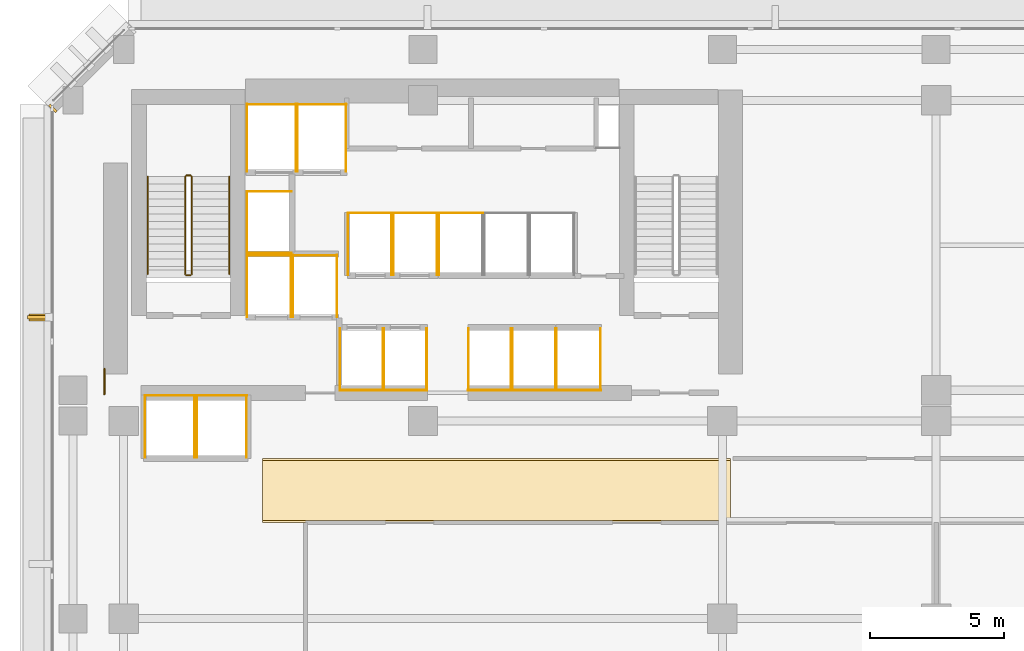
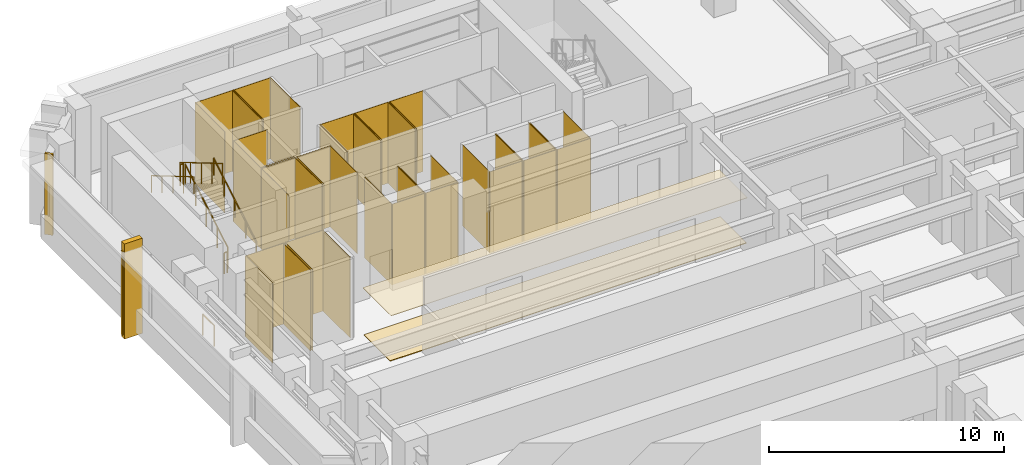
# One storey, part 13 of 16: 48 coverings, 7 railings, 1 shading device.
"""IFC4 building model written with IfcOpenShell, lengths in metres."""

from ifc_helpers import new_model, si_unit, direction, frame, origin, origin_2d, place, context, subcontext, project, spatial, polyline, rectangle, circle, outline, extrude, material, layer, layer_set, material_profile, profile_set, type_object, element, save


model = new_model("IFC4")

# Units and contexts
model_context = context("Model", 3, precision=1e-05, world=origin(), true_north=direction((0.0, 1.0)))
body_context = subcontext(model_context, "Body", "Model", "MODEL_VIEW")
ifc_project = project(units=[si_unit("LENGTHUNIT", "METRE"), si_unit("AREAUNIT", "SQUARE_METRE"), si_unit("VOLUMEUNIT", "CUBIC_METRE"), si_unit("PLANEANGLEUNIT", "RADIAN"), si_unit("MASSUNIT", "GRAM", prefix="KILO")], contexts=[model_context])

# Site, building, storey
site_placement = place(None, origin())
site = spatial("IfcSite", under=ifc_project, at=site_placement, CompositionType="ELEMENT")
building_placement = place(site_placement, origin())
building = spatial("IfcBuilding", under=site, at=building_placement, Name="Kefirva Bronze Tower", CompositionType="ELEMENT")
storey_placement = place(building_placement, frame((0.0, 0.0, 21.1201171875)))
storey = spatial("IfcBuildingStorey", under=building, at=storey_placement, Name="L04", CompositionType="ELEMENT", Elevation=21.1201171875)

# Coverings
ifc_material_1 = material(Name="Acoustic mineral tile")
ifc_layer_1 = layer(ifc_material_1, 0.02490234375, Name="Acoustic mineral tile")
ifc_layer_set_1 = layer_set([ifc_layer_1], Name="Acoustic mineral tile")
covering_type_1 = type_object("IfcCoveringType", Name="Acoustic Mineral Suspended Ceiling 25mm", PredefinedType="CEILING", material=ifc_layer_set_1)
covering_1_placement = place(storey_placement, frame((0.0, 0.0, 2.39990234375)))
element("IfcCovering", 1, at=covering_1_placement, inside=storey, type_object=covering_type_1, Name="L04 Corridor Acoustic Ceiling", PredefinedType="CEILING", context=body_context, shape_type="SweptSolid", body=[
    extrude(outline(polyline([(6.0, 29.39990234375), (23.5, 29.39990234375), (23.5, 31.800048828125), (6.0, 31.800048828125), (6.0, 29.39990234375)])), origin(), (0.0, 0.0, 1.0), 0.02490234375),
])
ifc_material_2 = material(Name="Bronze anodised aluminium", Category="aluminium")
ifc_layer_2 = layer(ifc_material_2, 0.02001953125, Name="Bronze anodised aluminium")
ifc_layer_set_2 = layer_set([ifc_layer_2], Name="Bronze anodised aluminium")
covering_type_2 = type_object("IfcCoveringType", Name="Anodised Bronze Spandrel Cladding 20mm", PredefinedType="CLADDING", material=ifc_layer_set_2)
covering_2_placement = place(storey_placement, frame((-1.847900390625, 44.8974609375, 0.0), z_axis=(0.0, 0.0, 1.0), x_axis=(-0.707106781187, -0.707106781187, 0.0)))
element("IfcCovering", 2, at=covering_2_placement, inside=storey, type_object=covering_type_2, Name="L04 Facade Joint Closure Panel 6E", PredefinedType="CLADDING", context=body_context, shape_type="SweptSolid", body=[
    extrude(rectangle(XDim=0.10009765625, YDim=0.360107421875, at=origin_2d()), origin(), (0.0, 0.0, 1.0), 4.199951171875),
])
covering_3_placement = place(storey_placement, origin())
element("IfcCovering", 3, at=covering_3_placement, inside=storey, type_object=covering_type_2, Name="L04 Lift FF1 Hoistway Liner N", PredefinedType="CLADDING", context=body_context, shape_type="SweptSolid", body=[
    extrude(outline(polyline([(5.39990234375, 39.389892578125), (7.080078125, 39.389892578125), (7.080078125, 39.409912109375), (5.39990234375, 39.409912109375), (5.39990234375, 39.389892578125)])), origin(), (0.0, 0.0, 1.0), 4.199951171875),
])
covering_4_placement = place(storey_placement, origin())
element("IfcCovering", 4, at=covering_4_placement, inside=storey, type_object=covering_type_2, Name="L04 Lift FF1 Hoistway Liner W", PredefinedType="CLADDING", context=body_context, shape_type="SweptSolid", body=[
    extrude(outline(polyline([(5.409912109375, 37.080078125), (5.429931640625, 37.080078125), (5.429931640625, 39.419921875), (5.409912109375, 39.419921875), (5.409912109375, 37.080078125)])), origin(), (0.0, 0.0, 1.0), 4.199951171875),
])
covering_5_placement = place(storey_placement, origin())
element("IfcCovering", 5, at=covering_5_placement, inside=storey, type_object=covering_type_2, Name="L04 Lift FF1 Hoistway Liner E", PredefinedType="CLADDING", context=body_context, shape_type="SweptSolid", body=[
    extrude(outline(polyline([(7.050048828125, 37.080078125), (7.070068359375, 37.080078125), (7.070068359375, 39.419921875), (7.050048828125, 39.419921875), (7.050048828125, 37.080078125)])), origin(), (0.0, 0.0, 1.0), 4.199951171875),
])
covering_6_placement = place(storey_placement, origin())
element("IfcCovering", 6, at=covering_6_placement, inside=storey, type_object=covering_type_2, Name="L04 Lift FF2 Hoistway Liner N", PredefinedType="CLADDING", context=body_context, shape_type="SweptSolid", body=[
    extrude(outline(polyline([(7.1201171875, 39.389892578125), (8.800048828125, 39.389892578125), (8.800048828125, 39.409912109375), (7.1201171875, 39.409912109375), (7.1201171875, 39.389892578125)])), origin(), (0.0, 0.0, 1.0), 4.199951171875),
])
covering_7_placement = place(storey_placement, origin())
element("IfcCovering", 7, at=covering_7_placement, inside=storey, type_object=covering_type_2, Name="L04 Lift FF2 Hoistway Liner W", PredefinedType="CLADDING", context=body_context, shape_type="SweptSolid", body=[
    extrude(outline(polyline([(7.1298828125, 37.080078125), (7.14990234375, 37.080078125), (7.14990234375, 39.419921875), (7.1298828125, 39.419921875), (7.1298828125, 37.080078125)])), origin(), (0.0, 0.0, 1.0), 4.199951171875),
])
covering_8_placement = place(storey_placement, origin())
element("IfcCovering", 8, at=covering_8_placement, inside=storey, type_object=covering_type_2, Name="L04 Lift FF2 Hoistway Liner E", PredefinedType="CLADDING", context=body_context, shape_type="SweptSolid", body=[
    extrude(outline(polyline([(8.77001953125, 37.080078125), (8.7900390625, 37.080078125), (8.7900390625, 39.419921875), (8.77001953125, 39.419921875), (8.77001953125, 37.080078125)])), origin(), (0.0, 0.0, 1.0), 4.199951171875),
])
covering_9_placement = place(storey_placement, origin())
element("IfcCovering", 9, at=covering_9_placement, inside=storey, type_object=covering_type_2, Name="L04 Lift SV1 Hoistway Liner N", PredefinedType="CLADDING", context=body_context, shape_type="SweptSolid", body=[
    extrude(outline(polyline([(5.39990234375, 45.0400390625), (7.260009765625, 45.0400390625), (7.260009765625, 45.06005859375), (5.39990234375, 45.06005859375), (5.39990234375, 45.0400390625)])), origin(), (0.0, 0.0, 1.0), 4.199951171875),
])
covering_10_placement = place(storey_placement, origin())
element("IfcCovering", 10, at=covering_10_placement, inside=storey, type_object=covering_type_2, Name="L04 Lift SV1 Hoistway Liner W", PredefinedType="CLADDING", context=body_context, shape_type="SweptSolid", body=[
    extrude(outline(polyline([(5.409912109375, 42.530029296875), (5.429931640625, 42.530029296875), (5.429931640625, 45.070068359375), (5.409912109375, 45.070068359375), (5.409912109375, 42.530029296875)])), origin(), (0.0, 0.0, 1.0), 4.199951171875),
])
covering_11_placement = place(storey_placement, origin())
element("IfcCovering", 11, at=covering_11_placement, inside=storey, type_object=covering_type_2, Name="L04 Lift SV1 Hoistway Liner E", PredefinedType="CLADDING", context=body_context, shape_type="SweptSolid", body=[
    extrude(outline(polyline([(7.22998046875, 42.530029296875), (7.25, 42.530029296875), (7.25, 45.070068359375), (7.22998046875, 45.070068359375), (7.22998046875, 42.530029296875)])), origin(), (0.0, 0.0, 1.0), 4.199951171875),
])
covering_12_placement = place(storey_placement, origin())
element("IfcCovering", 12, at=covering_12_placement, inside=storey, type_object=covering_type_2, Name="L04 Lift SV2 Hoistway Liner N", PredefinedType="CLADDING", context=body_context, shape_type="SweptSolid", body=[
    extrude(outline(polyline([(7.280029296875, 45.0400390625), (9.139892578125, 45.0400390625), (9.139892578125, 45.06005859375), (7.280029296875, 45.06005859375), (7.280029296875, 45.0400390625)])), origin(), (0.0, 0.0, 1.0), 4.199951171875),
])
covering_13_placement = place(storey_placement, origin())
element("IfcCovering", 13, at=covering_13_placement, inside=storey, type_object=covering_type_2, Name="L04 Lift SV2 Hoistway Liner W", PredefinedType="CLADDING", context=body_context, shape_type="SweptSolid", body=[
    extrude(outline(polyline([(7.2900390625, 42.530029296875), (7.31005859375, 42.530029296875), (7.31005859375, 45.070068359375), (7.2900390625, 45.070068359375), (7.2900390625, 42.530029296875)])), origin(), (0.0, 0.0, 1.0), 4.199951171875),
])
covering_14_placement = place(storey_placement, origin())
element("IfcCovering", 14, at=covering_14_placement, inside=storey, type_object=covering_type_2, Name="L04 Lift SV2 Hoistway Liner E", PredefinedType="CLADDING", context=body_context, shape_type="SweptSolid", body=[
    extrude(outline(polyline([(9.110107421875, 42.530029296875), (9.1298828125, 42.530029296875), (9.1298828125, 45.070068359375), (9.110107421875, 45.070068359375), (9.110107421875, 42.530029296875)])), origin(), (0.0, 0.0, 1.0), 4.199951171875),
])
covering_15_placement = place(storey_placement, origin())
element("IfcCovering", 15, at=covering_15_placement, inside=storey, type_object=covering_type_2, Name="L04 Lift OB1 Hoistway Liner N", PredefinedType="CLADDING", context=body_context, shape_type="SweptSolid", body=[
    extrude(outline(polyline([(1.580078125, 34.139892578125), (3.469970703125, 34.139892578125), (3.469970703125, 34.159912109375), (1.580078125, 34.159912109375), (1.580078125, 34.139892578125)])), origin(), (0.0, 0.0, 1.0), 4.199951171875),
])
covering_16_placement = place(storey_placement, origin())
element("IfcCovering", 16, at=covering_16_placement, inside=storey, type_object=covering_type_2, Name="L04 Lift OB1 Hoistway Liner W", PredefinedType="CLADDING", context=body_context, shape_type="SweptSolid", body=[
    extrude(outline(polyline([(1.590087890625, 31.830078125), (1.610107421875, 31.830078125), (1.610107421875, 34.169921875), (1.590087890625, 34.169921875), (1.590087890625, 31.830078125)])), origin(), (0.0, 0.0, 1.0), 4.199951171875),
])
covering_17_placement = place(storey_placement, origin())
element("IfcCovering", 17, at=covering_17_placement, inside=storey, type_object=covering_type_2, Name="L04 Lift OB1 Hoistway Liner E", PredefinedType="CLADDING", context=body_context, shape_type="SweptSolid", body=[
    extrude(outline(polyline([(3.43994140625, 31.830078125), (3.4599609375, 31.830078125), (3.4599609375, 34.169921875), (3.43994140625, 34.169921875), (3.43994140625, 31.830078125)])), origin(), (0.0, 0.0, 1.0), 4.199951171875),
])
covering_18_placement = place(storey_placement, origin())
element("IfcCovering", 18, at=covering_18_placement, inside=storey, type_object=covering_type_2, Name="L04 Lift OB2 Hoistway Liner N", PredefinedType="CLADDING", context=body_context, shape_type="SweptSolid", body=[
    extrude(outline(polyline([(3.530029296875, 34.139892578125), (5.419921875, 34.139892578125), (5.419921875, 34.159912109375), (3.530029296875, 34.159912109375), (3.530029296875, 34.139892578125)])), origin(), (0.0, 0.0, 1.0), 4.199951171875),
])
covering_19_placement = place(storey_placement, origin())
element("IfcCovering", 19, at=covering_19_placement, inside=storey, type_object=covering_type_2, Name="L04 Lift OB2 Hoistway Liner W", PredefinedType="CLADDING", context=body_context, shape_type="SweptSolid", body=[
    extrude(outline(polyline([(3.5400390625, 31.830078125), (3.56005859375, 31.830078125), (3.56005859375, 34.169921875), (3.5400390625, 34.169921875), (3.5400390625, 31.830078125)])), origin(), (0.0, 0.0, 1.0), 4.199951171875),
])
covering_20_placement = place(storey_placement, origin())
element("IfcCovering", 20, at=covering_20_placement, inside=storey, type_object=covering_type_2, Name="L04 Lift OB2 Hoistway Liner E", PredefinedType="CLADDING", context=body_context, shape_type="SweptSolid", body=[
    extrude(outline(polyline([(5.389892578125, 31.830078125), (5.409912109375, 31.830078125), (5.409912109375, 34.169921875), (5.389892578125, 34.169921875), (5.389892578125, 31.830078125)])), origin(), (0.0, 0.0, 1.0), 4.199951171875),
])
covering_21_placement = place(storey_placement, origin())
element("IfcCovering", 21, at=covering_21_placement, inside=storey, type_object=covering_type_2, Name="L04 Lift LP1 Hoistway Liner S", PredefinedType="CLADDING", context=body_context, shape_type="SweptSolid", body=[
    extrude(outline(polyline([(8.8798828125, 34.340087890625), (10.52001953125, 34.340087890625), (10.52001953125, 34.360107421875), (8.8798828125, 34.360107421875), (8.8798828125, 34.340087890625)])), origin(), (0.0, 0.0, 1.0), 4.199951171875),
])
covering_22_placement = place(storey_placement, origin())
element("IfcCovering", 22, at=covering_22_placement, inside=storey, type_object=covering_type_2, Name="L04 Lift LP1 Hoistway Liner W", PredefinedType="CLADDING", context=body_context, shape_type="SweptSolid", body=[
    extrude(outline(polyline([(8.889892578125, 34.330078125), (8.909912109375, 34.330078125), (8.909912109375, 36.669921875), (8.889892578125, 36.669921875), (8.889892578125, 34.330078125)])), origin(), (0.0, 0.0, 1.0), 4.199951171875),
])
covering_23_placement = place(storey_placement, origin())
element("IfcCovering", 23, at=covering_23_placement, inside=storey, type_object=covering_type_2, Name="L04 Lift LP1 Hoistway Liner E", PredefinedType="CLADDING", context=body_context, shape_type="SweptSolid", body=[
    extrude(outline(polyline([(10.489990234375, 34.330078125), (10.510009765625, 34.330078125), (10.510009765625, 36.669921875), (10.489990234375, 36.669921875), (10.489990234375, 34.330078125)])), origin(), (0.0, 0.0, 1.0), 4.199951171875),
])
covering_24_placement = place(storey_placement, origin())
element("IfcCovering", 24, at=covering_24_placement, inside=storey, type_object=covering_type_2, Name="L04 Lift LP2 Hoistway Liner S", PredefinedType="CLADDING", context=body_context, shape_type="SweptSolid", body=[
    extrude(outline(polyline([(10.52001953125, 34.340087890625), (12.159912109375, 34.340087890625), (12.159912109375, 34.360107421875), (10.52001953125, 34.360107421875), (10.52001953125, 34.340087890625)])), origin(), (0.0, 0.0, 1.0), 4.199951171875),
])
covering_25_placement = place(storey_placement, origin())
element("IfcCovering", 25, at=covering_25_placement, inside=storey, type_object=covering_type_2, Name="L04 Lift LP2 Hoistway Liner W", PredefinedType="CLADDING", context=body_context, shape_type="SweptSolid", body=[
    extrude(outline(polyline([(10.530029296875, 34.330078125), (10.550048828125, 34.330078125), (10.550048828125, 36.669921875), (10.530029296875, 36.669921875), (10.530029296875, 34.330078125)])), origin(), (0.0, 0.0, 1.0), 4.199951171875),
])
covering_26_placement = place(storey_placement, origin())
element("IfcCovering", 26, at=covering_26_placement, inside=storey, type_object=covering_type_2, Name="L04 Lift LP2 Hoistway Liner E", PredefinedType="CLADDING", context=body_context, shape_type="SweptSolid", body=[
    extrude(outline(polyline([(12.1298828125, 34.330078125), (12.14990234375, 34.330078125), (12.14990234375, 36.669921875), (12.1298828125, 36.669921875), (12.1298828125, 34.330078125)])), origin(), (0.0, 0.0, 1.0), 4.199951171875),
])
covering_27_placement = place(storey_placement, origin())
element("IfcCovering", 27, at=covering_27_placement, inside=storey, type_object=covering_type_2, Name="L04 Lift LP3 Hoistway Liner N", PredefinedType="CLADDING", context=body_context, shape_type="SweptSolid", body=[
    extrude(outline(polyline([(9.179931640625, 40.969970703125), (10.85009765625, 40.969970703125), (10.85009765625, 40.989990234375), (9.179931640625, 40.989990234375), (9.179931640625, 40.969970703125)])), origin(), (0.0, 0.0, 1.0), 4.199951171875),
])
covering_28_placement = place(storey_placement, origin())
element("IfcCovering", 28, at=covering_28_placement, inside=storey, type_object=covering_type_2, Name="L04 Lift LP3 Hoistway Liner W", PredefinedType="CLADDING", context=body_context, shape_type="SweptSolid", body=[
    extrude(outline(polyline([(9.18994140625, 38.659912109375), (9.2099609375, 38.659912109375), (9.2099609375, 41.0), (9.18994140625, 41.0), (9.18994140625, 38.659912109375)])), origin(), (0.0, 0.0, 1.0), 4.199951171875),
])
covering_29_placement = place(storey_placement, origin())
element("IfcCovering", 29, at=covering_29_placement, inside=storey, type_object=covering_type_2, Name="L04 Lift LP3 Hoistway Liner E", PredefinedType="CLADDING", context=body_context, shape_type="SweptSolid", body=[
    extrude(outline(polyline([(10.820068359375, 38.659912109375), (10.840087890625, 38.659912109375), (10.840087890625, 41.0), (10.820068359375, 41.0), (10.820068359375, 38.659912109375)])), origin(), (0.0, 0.0, 1.0), 4.199951171875),
])
covering_30_placement = place(storey_placement, origin())
element("IfcCovering", 30, at=covering_30_placement, inside=storey, type_object=covering_type_2, Name="L04 Lift LP4 Hoistway Liner N", PredefinedType="CLADDING", context=body_context, shape_type="SweptSolid", body=[
    extrude(outline(polyline([(10.8798828125, 40.969970703125), (12.550048828125, 40.969970703125), (12.550048828125, 40.989990234375), (10.8798828125, 40.989990234375), (10.8798828125, 40.969970703125)])), origin(), (0.0, 0.0, 1.0), 4.199951171875),
])
covering_31_placement = place(storey_placement, origin())
element("IfcCovering", 31, at=covering_31_placement, inside=storey, type_object=covering_type_2, Name="L04 Lift LP4 Hoistway Liner W", PredefinedType="CLADDING", context=body_context, shape_type="SweptSolid", body=[
    extrude(outline(polyline([(10.889892578125, 38.659912109375), (10.909912109375, 38.659912109375), (10.909912109375, 41.0), (10.889892578125, 41.0), (10.889892578125, 38.659912109375)])), origin(), (0.0, 0.0, 1.0), 4.199951171875),
])
covering_32_placement = place(storey_placement, origin())
element("IfcCovering", 32, at=covering_32_placement, inside=storey, type_object=covering_type_2, Name="L04 Lift LP4 Hoistway Liner E", PredefinedType="CLADDING", context=body_context, shape_type="SweptSolid", body=[
    extrude(outline(polyline([(12.52001953125, 38.659912109375), (12.5400390625, 38.659912109375), (12.5400390625, 41.0), (12.52001953125, 41.0), (12.52001953125, 38.659912109375)])), origin(), (0.0, 0.0, 1.0), 4.199951171875),
])
covering_33_placement = place(storey_placement, origin())
element("IfcCovering", 33, at=covering_33_placement, inside=storey, type_object=covering_type_2, Name="L04 Lift MP1 Hoistway Liner S", PredefinedType="CLADDING", context=body_context, shape_type="SweptSolid", body=[
    extrude(outline(polyline([(13.679931640625, 34.340087890625), (15.320068359375, 34.340087890625), (15.320068359375, 34.360107421875), (13.679931640625, 34.360107421875), (13.679931640625, 34.340087890625)])), origin(), (0.0, 0.0, 1.0), 4.199951171875),
])
covering_34_placement = place(storey_placement, origin())
element("IfcCovering", 34, at=covering_34_placement, inside=storey, type_object=covering_type_2, Name="L04 Lift MP1 Hoistway Liner W", PredefinedType="CLADDING", context=body_context, shape_type="SweptSolid", body=[
    extrude(outline(polyline([(13.68994140625, 34.330078125), (13.7099609375, 34.330078125), (13.7099609375, 36.669921875), (13.68994140625, 36.669921875), (13.68994140625, 34.330078125)])), origin(), (0.0, 0.0, 1.0), 4.199951171875),
])
covering_35_placement = place(storey_placement, origin())
element("IfcCovering", 35, at=covering_35_placement, inside=storey, type_object=covering_type_2, Name="L04 Lift MP1 Hoistway Liner E", PredefinedType="CLADDING", context=body_context, shape_type="SweptSolid", body=[
    extrude(outline(polyline([(15.2900390625, 34.330078125), (15.31005859375, 34.330078125), (15.31005859375, 36.669921875), (15.2900390625, 36.669921875), (15.2900390625, 34.330078125)])), origin(), (0.0, 0.0, 1.0), 4.199951171875),
])
covering_36_placement = place(storey_placement, origin())
element("IfcCovering", 36, at=covering_36_placement, inside=storey, type_object=covering_type_2, Name="L04 Lift MP2 Hoistway Liner S", PredefinedType="CLADDING", context=body_context, shape_type="SweptSolid", body=[
    extrude(outline(polyline([(15.330078125, 34.340087890625), (16.969970703125, 34.340087890625), (16.969970703125, 34.360107421875), (15.330078125, 34.360107421875), (15.330078125, 34.340087890625)])), origin(), (0.0, 0.0, 1.0), 4.199951171875),
])
covering_37_placement = place(storey_placement, origin())
element("IfcCovering", 37, at=covering_37_placement, inside=storey, type_object=covering_type_2, Name="L04 Lift MP2 Hoistway Liner W", PredefinedType="CLADDING", context=body_context, shape_type="SweptSolid", body=[
    extrude(outline(polyline([(15.340087890625, 34.330078125), (15.360107421875, 34.330078125), (15.360107421875, 36.669921875), (15.340087890625, 36.669921875), (15.340087890625, 34.330078125)])), origin(), (0.0, 0.0, 1.0), 4.199951171875),
])
covering_38_placement = place(storey_placement, origin())
element("IfcCovering", 38, at=covering_38_placement, inside=storey, type_object=covering_type_2, Name="L04 Lift MP2 Hoistway Liner E", PredefinedType="CLADDING", context=body_context, shape_type="SweptSolid", body=[
    extrude(outline(polyline([(16.93994140625, 34.330078125), (16.9599609375, 34.330078125), (16.9599609375, 36.669921875), (16.93994140625, 36.669921875), (16.93994140625, 34.330078125)])), origin(), (0.0, 0.0, 1.0), 4.199951171875),
])
covering_39_placement = place(storey_placement, origin())
element("IfcCovering", 39, at=covering_39_placement, inside=storey, type_object=covering_type_2, Name="L04 Lift MP3 Hoistway Liner N", PredefinedType="CLADDING", context=body_context, shape_type="SweptSolid", body=[
    extrude(outline(polyline([(12.580078125, 40.969970703125), (14.25, 40.969970703125), (14.25, 40.989990234375), (12.580078125, 40.989990234375), (12.580078125, 40.969970703125)])), origin(), (0.0, 0.0, 1.0), 4.199951171875),
])
covering_40_placement = place(storey_placement, origin())
element("IfcCovering", 40, at=covering_40_placement, inside=storey, type_object=covering_type_2, Name="L04 Lift MP3 Hoistway Liner W", PredefinedType="CLADDING", context=body_context, shape_type="SweptSolid", body=[
    extrude(outline(polyline([(12.590087890625, 38.659912109375), (12.610107421875, 38.659912109375), (12.610107421875, 41.0), (12.590087890625, 41.0), (12.590087890625, 38.659912109375)])), origin(), (0.0, 0.0, 1.0), 4.199951171875),
])
covering_41_placement = place(storey_placement, origin())
element("IfcCovering", 41, at=covering_41_placement, inside=storey, type_object=covering_type_2, Name="L04 Lift HP1 Hoistway Liner S", PredefinedType="CLADDING", context=body_context, shape_type="SweptSolid", body=[
    extrude(outline(polyline([(16.97998046875, 34.340087890625), (18.669921875, 34.340087890625), (18.669921875, 34.360107421875), (16.97998046875, 34.360107421875), (16.97998046875, 34.340087890625)])), origin(), (0.0, 0.0, 1.0), 4.199951171875),
])
covering_42_placement = place(storey_placement, origin())
element("IfcCovering", 42, at=covering_42_placement, inside=storey, type_object=covering_type_2, Name="L04 Lift HP1 Hoistway Liner W", PredefinedType="CLADDING", context=body_context, shape_type="SweptSolid", body=[
    extrude(outline(polyline([(16.989990234375, 34.330078125), (17.010009765625, 34.330078125), (17.010009765625, 36.669921875), (16.989990234375, 36.669921875), (16.989990234375, 34.330078125)])), origin(), (0.0, 0.0, 1.0), 4.199951171875),
])
covering_43_placement = place(storey_placement, origin())
element("IfcCovering", 43, at=covering_43_placement, inside=storey, type_object=covering_type_2, Name="L04 Lift HP1 Hoistway Liner E", PredefinedType="CLADDING", context=body_context, shape_type="SweptSolid", body=[
    extrude(outline(polyline([(18.639892578125, 34.330078125), (18.659912109375, 34.330078125), (18.659912109375, 36.669921875), (18.639892578125, 36.669921875), (18.639892578125, 34.330078125)])), origin(), (0.0, 0.0, 1.0), 4.199951171875),
])
covering_44_placement = place(storey_placement, origin())
element("IfcCovering", 44, at=covering_44_placement, inside=storey, type_object=covering_type_2, Name="L04 Lift HP3 Hoistway Liner N", PredefinedType="CLADDING", context=body_context, shape_type="SweptSolid", body=[
    extrude(outline(polyline([(5.39990234375, 41.77001953125), (7.080078125, 41.77001953125), (7.080078125, 41.7900390625), (5.39990234375, 41.7900390625), (5.39990234375, 41.77001953125)])), origin(), (0.0, 0.0, 1.0), 4.199951171875),
])
covering_45_placement = place(storey_placement, origin())
element("IfcCovering", 45, at=covering_45_placement, inside=storey, type_object=covering_type_2, Name="L04 Lift HP3 Hoistway Liner S", PredefinedType="CLADDING", context=body_context, shape_type="SweptSolid", body=[
    extrude(outline(polyline([(5.39990234375, 39.469970703125), (7.080078125, 39.469970703125), (7.080078125, 39.489990234375), (5.39990234375, 39.489990234375), (5.39990234375, 39.469970703125)])), origin(), (0.0, 0.0, 1.0), 4.199951171875),
])
covering_46_placement = place(storey_placement, origin())
element("IfcCovering", 46, at=covering_46_placement, inside=storey, type_object=covering_type_2, Name="L04 Lift HP3 Hoistway Liner W", PredefinedType="CLADDING", context=body_context, shape_type="SweptSolid", body=[
    extrude(outline(polyline([(5.409912109375, 39.4599609375), (5.429931640625, 39.4599609375), (5.429931640625, 41.800048828125), (5.409912109375, 41.800048828125), (5.409912109375, 39.4599609375)])), origin(), (0.0, 0.0, 1.0), 4.199951171875),
])
ifc_material_3 = material(Name="Honed basalt stone paver", Category="masonry")
ifc_layer_3 = layer(ifc_material_3, 0.034912109375, Name="Honed basalt stone paver")
ifc_layer_set_3 = layer_set([ifc_layer_3], Name="Honed basalt stone paver")
covering_type_3 = type_object("IfcCoveringType", Name="Honed Basalt Concourse Flooring 35mm", PredefinedType="FLOORING", material=ifc_layer_set_3)
covering_47_placement = place(storey_placement, origin())
element("IfcCovering", 47, at=covering_47_placement, inside=storey, type_object=covering_type_3, Name="L04 Architectural Finish Flooring", PredefinedType="FLOORING", context=body_context, shape_type="SweptSolid", body=[
    extrude(outline(polyline([(6.0, 29.47998046875), (23.5, 29.47998046875), (23.5, 31.719970703125), (6.0, 31.719970703125), (6.0, 29.47998046875)])), origin(), (0.0, 0.0, 1.0), 0.034912109375),
])

# Railings
ifc_material_4 = material(Name="Stainless steel 316", Category="steel")
railing_type_1 = type_object("IfcRailingType", Name="Interior Stair Guardrail 1100mm", PredefinedType="GUARDRAIL", material=ifc_material_4)
railing_1_placement = place(storey_placement, frame((3.35009765625, 38.699951171875, 0.164794921875)))
element("IfcRailing", 48, at=railing_1_placement, inside=storey, type_object=railing_type_1, Name="L04 ST-1 stair guard 1", PredefinedType="GUARDRAIL", context=body_context, shape_type="SweptSolid", body=[
    extrude(circle(Radius=0.02392578125, at=origin_2d()), frame((0.0, 0.0, 1.076171875), z_axis=(0.0, 0.861544779993, 0.507681585313), x_axis=(-1.0, 0.0, 0.0)), (0.0, 0.0, 1.0), 4.22509765625),
    extrude(circle(Radius=0.02099609375, at=origin_2d()), origin(), (0.0, 0.0, 1.0), 1.052001953125),
    extrude(circle(Radius=0.02099609375, at=origin_2d()), frame((0.0, 0.91015625, 0.5361328125)), (0.0, 0.0, 1.0), 1.052001953125),
    extrude(circle(Radius=0.02099609375, at=origin_2d()), frame((0.0, 1.820068359375, 1.072509765625)), (0.0, 0.0, 1.0), 1.052001953125),
    extrude(circle(Radius=0.02099609375, at=origin_2d()), frame((0.0, 2.72998046875, 1.60888671875)), (0.0, 0.0, 1.0), 1.052001953125),
    extrude(circle(Radius=0.02099609375, at=origin_2d()), frame((0.0, 3.64013671875, 2.14501953125)), (0.0, 0.0, 1.0), 1.052001953125),
])
railing_2_placement = place(storey_placement, frame((3.300048828125, 42.389892578125, 2.309814453125)))
element("IfcRailing", 49, at=railing_2_placement, inside=storey, type_object=railing_type_1, Name="L04 ST-1 stair guard 2", PredefinedType="GUARDRAIL", context=body_context, shape_type="SweptSolid", body=[
    extrude(circle(Radius=0.02392578125, at=origin_2d()), frame((0.0, 0.0, 1.076171875), z_axis=(-1.0, 0.0, 0.0), x_axis=(0.0, -1.0, 0.0)), (0.0, 0.0, 1.0), 0.150146484375),
    extrude(circle(Radius=0.02099609375, at=origin_2d()), origin(), (0.0, 0.0, 1.0), 1.052001953125),
    extrude(circle(Radius=0.02099609375, at=origin_2d()), frame((-0.150146484375, 0.0, 0.0)), (0.0, 0.0, 1.0), 1.052001953125),
])
railing_3_placement = place(storey_placement, frame((3.10009765625, 42.340087890625, 2.474853515625)))
element("IfcRailing", 50, at=railing_3_placement, inside=storey, type_object=railing_type_1, Name="L04 ST-1 stair guard 3", PredefinedType="GUARDRAIL", context=body_context, shape_type="SweptSolid", body=[
    extrude(circle(Radius=0.02392578125, at=origin_2d()), frame((0.0, 0.0, 1.076171875), z_axis=(0.0, -0.861544779993, 0.507681585313), x_axis=(1.0, 0.0, 0.0)), (0.0, 0.0, 1.0), 4.22509765625),
    extrude(circle(Radius=0.02099609375, at=origin_2d()), origin(), (0.0, 0.0, 1.0), 1.052001953125),
    extrude(circle(Radius=0.02099609375, at=origin_2d()), frame((0.0, -0.91015625, 0.5361328125)), (0.0, 0.0, 1.0), 1.052001953125),
    extrude(circle(Radius=0.02099609375, at=origin_2d()), frame((0.0, -1.820068359375, 1.072509765625)), (0.0, 0.0, 1.0), 1.052001953125),
    extrude(circle(Radius=0.02099609375, at=origin_2d()), frame((0.0, -2.72998046875, 1.60888671875)), (0.0, 0.0, 1.0), 1.052001953125),
    extrude(circle(Radius=0.02099609375, at=origin_2d()), frame((0.0, -3.64013671875, 2.14501953125)), (0.0, 0.0, 1.0), 1.052001953125),
])
railing_4_placement = place(storey_placement, frame((3.300048828125, 38.64990234375, 0.0)))
element("IfcRailing", 51, at=railing_4_placement, inside=storey, type_object=railing_type_1, Name="L04 ST-1 stair guard 4", PredefinedType="GUARDRAIL", context=body_context, shape_type="SweptSolid", body=[
    extrude(circle(Radius=0.02392578125, at=origin_2d()), frame((0.0, 0.0, 1.076171875), z_axis=(-1.0, 0.0, 0.0), x_axis=(0.0, -1.0, 0.0)), (0.0, 0.0, 1.0), 0.150146484375),
    extrude(circle(Radius=0.02099609375, at=origin_2d()), origin(), (0.0, 0.0, 1.0), 1.052001953125),
    extrude(circle(Radius=0.02099609375, at=origin_2d()), frame((-0.150146484375, 0.0, 0.0)), (0.0, 0.0, 1.0), 1.052001953125),
])
railing_5_placement = place(storey_placement, frame((0.080078125, 34.199951171875, 0.0)))
element("IfcRailing", 52, at=railing_5_placement, inside=storey, type_object=railing_type_1, Name="L04 West Core Junction Guardrail", PredefinedType="GUARDRAIL", context=body_context, shape_type="SweptSolid", body=[
    extrude(circle(Radius=0.02392578125, at=origin_2d()), frame((0.0, 0.0, 1.076171875), z_axis=(0.0, 1.0, 0.0), x_axis=(-1.0, 0.0, 0.0)), (0.0, 0.0, 1.0), 0.949951171875),
    extrude(circle(Radius=0.02099609375, at=origin_2d()), origin(), (0.0, 0.0, 1.0), 1.052001953125),
    extrude(circle(Radius=0.02099609375, at=origin_2d()), frame((0.0, 0.949951171875, 0.0)), (0.0, 0.0, 1.0), 1.052001953125),
])
railing_type_2 = type_object("IfcRailingType", Name="Stair Pitch Handrail 900mm", PredefinedType="HANDRAIL", material=ifc_material_4)
railing_6_placement = place(storey_placement, frame((4.75, 38.699951171875, 0.164794921875)))
element("IfcRailing", 53, at=railing_6_placement, inside=storey, type_object=railing_type_2, Name="L04 ST-1 stair handrail 1", PredefinedType="HANDRAIL", context=body_context, shape_type="SweptSolid", body=[
    extrude(circle(Radius=0.02392578125, at=origin_2d()), frame((0.0, 0.0, 0.8759765625), z_axis=(0.0, 0.861544779993, 0.507681585313), x_axis=(-1.0, 0.0, 0.0)), (0.0, 0.0, 1.0), 4.22509765625),
    extrude(circle(Radius=0.02099609375, at=origin_2d()), origin(), (0.0, 0.0, 1.0), 0.851806640625),
    extrude(circle(Radius=0.02099609375, at=origin_2d()), frame((0.0, 0.91015625, 0.5361328125)), (0.0, 0.0, 1.0), 0.851806640625),
    extrude(circle(Radius=0.02099609375, at=origin_2d()), frame((0.0, 1.820068359375, 1.072509765625)), (0.0, 0.0, 1.0), 0.851806640625),
    extrude(circle(Radius=0.02099609375, at=origin_2d()), frame((0.0, 2.72998046875, 1.60888671875)), (0.0, 0.0, 1.0), 0.851806640625),
    extrude(circle(Radius=0.02099609375, at=origin_2d()), frame((0.0, 3.64013671875, 2.14501953125)), (0.0, 0.0, 1.0), 0.851806640625),
])
railing_7_placement = place(storey_placement, frame((1.699951171875, 42.340087890625, 2.474853515625)))
element("IfcRailing", 54, at=railing_7_placement, inside=storey, type_object=railing_type_2, Name="L04 ST-1 stair handrail 2", PredefinedType="HANDRAIL", context=body_context, shape_type="SweptSolid", body=[
    extrude(circle(Radius=0.02392578125, at=origin_2d()), frame((0.0, 0.0, 0.8759765625), z_axis=(0.0, -0.861544779993, 0.507681585313), x_axis=(1.0, 0.0, 0.0)), (0.0, 0.0, 1.0), 4.22509765625),
    extrude(circle(Radius=0.02099609375, at=origin_2d()), origin(), (0.0, 0.0, 1.0), 0.851806640625),
    extrude(circle(Radius=0.02099609375, at=origin_2d()), frame((0.0, -0.91015625, 0.5361328125)), (0.0, 0.0, 1.0), 0.851806640625),
    extrude(circle(Radius=0.02099609375, at=origin_2d()), frame((0.0, -1.820068359375, 1.072509765625)), (0.0, 0.0, 1.0), 0.851806640625),
    extrude(circle(Radius=0.02099609375, at=origin_2d()), frame((0.0, -2.72998046875, 1.60888671875)), (0.0, 0.0, 1.0), 0.851806640625),
    extrude(circle(Radius=0.02099609375, at=origin_2d()), frame((0.0, -3.64013671875, 2.14501953125)), (0.0, 0.0, 1.0), 0.851806640625),
])

# Covering
ifc_layer_4 = layer(ifc_material_2, 0.260009765625, Name="Bronze anodised aluminium")
ifc_layer_set_4 = layer_set([ifc_layer_4], Name="Bronze anodised aluminium")
covering_type_4 = type_object("IfcCoveringType", Name="Unbroken Bronze Buttress Fin Cladding 260mm", PredefinedType="CLADDING", material=ifc_layer_set_4)
covering_48_placement = place(storey_placement, frame((-2.300048828125, 37.080078125, -0.320068359375), z_axis=(0.0, 0.0, 1.0), x_axis=(0.0, -1.0, 0.0)))
element("IfcCovering", 55, at=covering_48_placement, inside=storey, type_object=covering_type_4, Name="L04 Unbroken Vertical Bronze Rib Fin 27", PredefinedType="CLADDING", context=body_context, shape_type="SweptSolid", body=[
    extrude(rectangle(XDim=0.260009765625, YDim=0.8798828125, at=origin_2d()), origin(), (0.0, 0.0, 1.0), 4.93994140625),
])

# Shading device
ifc_material_profile = material_profile(ifc_material_2, rectangle(XDim=0.139892578125, YDim=0.8798828125, at=origin_2d()), Name="BRONZE FIN 140x880")
ifc_profile_set = profile_set([ifc_material_profile], Name="Bronze anodised aluminium")
shading_device_type = type_object("IfcShadingDeviceType", Name="Unbroken Vertical Bronze Facade Fin 880mm", PredefinedType="USERDEFINED", material=ifc_profile_set)
shading_device_placement = place(storey_placement, frame((-2.360107421875, 37.080078125, -0.14013671875), z_axis=(0.0, 0.0, 1.0), x_axis=(0.0, -1.0, 0.0)))
element("IfcShadingDevice", 56, at=shading_device_placement, inside=storey, type_object=shading_device_type, Name="L04 Vertical Bronze Rib Fin 27", ObjectType="VERTICAL FIN", PredefinedType="USERDEFINED", context=body_context, shape_type="SweptSolid", body=[
    extrude(rectangle(XDim=0.139892578125, YDim=0.8798828125, at=origin_2d()), origin(), (0.0, 0.0, 1.0), 4.340087890625),
])

save(model, "model.ifc")
